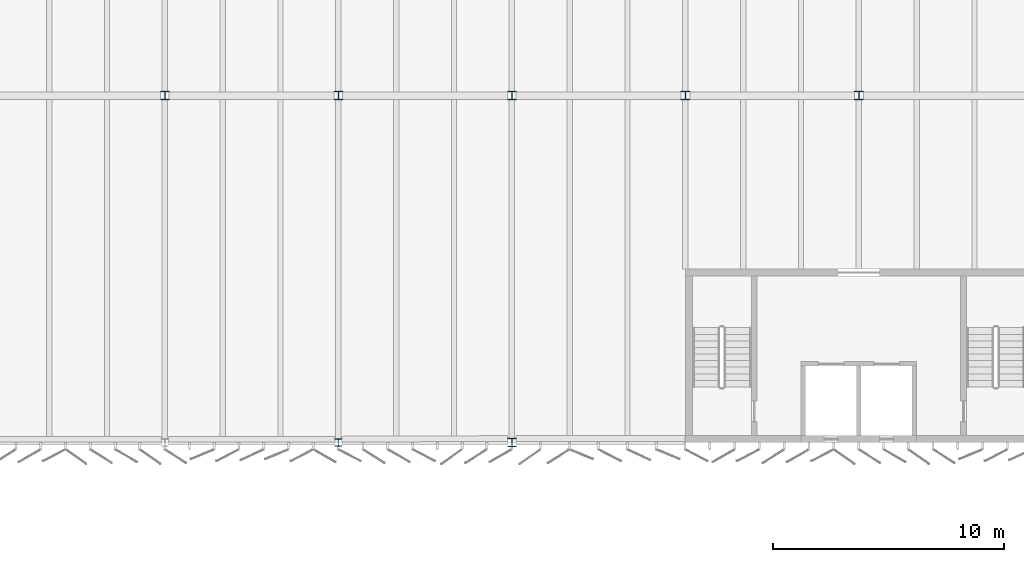
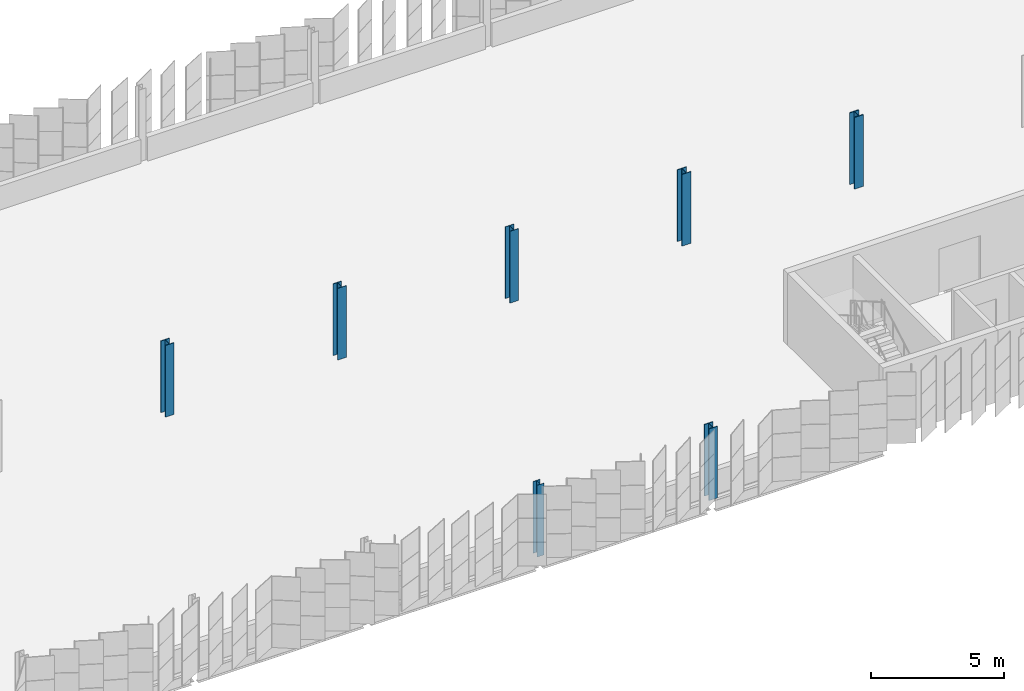
# One storey, part 12 of 199: 7 columns.
"""IFC4 building model written with IfcOpenShell, lengths in metres."""

from ifc_helpers import new_model, si_unit, direction, frame, origin, origin_2d, place, context, subcontext, project, spatial, i_section, extrude, material, material_profile, profile_set, type_object, element, save


model = new_model("IFC4")

# Units and contexts
model_context = context("Model", 3, precision=1e-05, world=origin(), true_north=direction((0.0, 1.0)))
body_context = subcontext(model_context, "Body", "Model", "MODEL_VIEW")
ifc_project = project(units=[si_unit("LENGTHUNIT", "METRE"), si_unit("AREAUNIT", "SQUARE_METRE"), si_unit("VOLUMEUNIT", "CUBIC_METRE"), si_unit("PLANEANGLEUNIT", "RADIAN"), si_unit("MASSUNIT", "GRAM", prefix="KILO")], contexts=[model_context])

# Site, building, storey
site_placement = place(None, origin())
site = spatial("IfcSite", under=ifc_project, at=site_placement, CompositionType="ELEMENT")
building_placement = place(site_placement, origin())
building = spatial("IfcBuilding", under=site, at=building_placement, Name="Parallax Yard Mobility Hub", CompositionType="ELEMENT")
storey_placement = place(building_placement, frame((0.0, 0.0, 9.89990234375)))
storey = spatial("IfcBuildingStorey", under=building, at=storey_placement, Name="L03", CompositionType="ELEMENT", Elevation=9.89990234375)

# Columns
ifc_material = material(Name="Steel ASTM A992", Category="steel")
ifc_material_profile_1 = material_profile(ifc_material, i_section(OverallWidth=0.304931640625, OverallDepth=0.306884765625, WebThickness=0.010009765625, FlangeThickness=0.015380859375, FilletRadius=0.01513671875, at=origin_2d()), Name="W310x97")
ifc_profile_set_1 = profile_set([ifc_material_profile_1], Name="Steel ASTM A992")
column_type_1 = type_object("IfcColumnType", Name="W310x97 column", PredefinedType="COLUMN", material=ifc_profile_set_1)
column_1_placement = place(storey_placement, frame((112.5, 112.5, 0.0), z_axis=(0.0, 0.0, 1.0), x_axis=(1.0, 0.0, 0.0)))
element("IfcColumn", 1, at=column_1_placement, inside=storey, type_object=column_type_1, Name="Column C1 level L03 at R/16 of ramped parking decks", PredefinedType="COLUMN", context=body_context, shape_type="SweptSolid", body=[
    extrude(i_section(OverallWidth=0.304931640625, OverallDepth=0.306884765625, WebThickness=0.010009765625, FlangeThickness=0.015380859375, FilletRadius=0.01513671875, at=origin_2d()), origin(), (0.0, 0.0, 1.0), 3.300048828125),
])
ifc_material_profile_2 = material_profile(ifc_material, i_section(OverallWidth=0.373046875, OverallDepth=0.367919921875, WebThickness=0.014892578125, FlangeThickness=0.02392578125, FilletRadius=0.01513671875, at=origin_2d()), Name="W360x179")
ifc_profile_set_2 = profile_set([ifc_material_profile_2], Name="Steel ASTM A992")
column_type_2 = type_object("IfcColumnType", Name="W360x179 column", PredefinedType="COLUMN", material=ifc_profile_set_2)
for number, where, z_axis, x_axis, name in (
    (2, (105.0, 127.5, 0.0), (0.0, 0.0, 1.0), (1.0, 0.0, 0.0), "Column C7 level L03 at T/15 of ramped parking decks"),
    (3, (112.5, 127.5, 0.0), (0.0, 0.0, 1.0), (1.0, 0.0, 0.0), "Column C7 level L03 at T/16 of ramped parking decks"),
    (4, (120.0, 112.5, 0.0), (0.0, 0.0, 1.0), (1.0, 0.0, 0.0), "Column C7 level L03 at R/17 of ramped parking decks"),
    (5, (120.0, 127.5, 0.0), (0.0, 0.0, 1.0), (1.0, 0.0, 0.0), "Column C7 level L03 at T/17 of ramped parking decks"),
):
    element("IfcColumn", number, at=place(storey_placement, frame(where, z_axis=z_axis, x_axis=x_axis)), inside=storey, type_object=column_type_2, Name=name, PredefinedType="COLUMN", context=body_context, shape_type="SweptSolid", body=[
        extrude(i_section(OverallWidth=0.373046875, OverallDepth=0.367919921875, WebThickness=0.014892578125, FlangeThickness=0.02392578125, FilletRadius=0.01513671875, at=origin_2d()), origin(), (0.0, 0.0, 1.0), 3.300048828125),
    ])
ifc_material_profile_3 = material_profile(ifc_material, i_section(OverallWidth=0.39404296875, OverallDepth=0.3759765625, WebThickness=0.017333984375, FlangeThickness=0.027587890625, FilletRadius=0.01513671875, at=origin_2d()), Name="W360x216")
ifc_profile_set_3 = profile_set([ifc_material_profile_3], Name="Steel ASTM A992")
column_type_3 = type_object("IfcColumnType", Name="W360x216 column", PredefinedType="COLUMN", material=ifc_profile_set_3)
column_2_placement = place(storey_placement, frame((127.5, 127.5, 0.0), z_axis=(0.0, 0.0, 1.0), x_axis=(1.0, 0.0, 0.0)))
element("IfcColumn", 6, at=column_2_placement, inside=storey, type_object=column_type_3, Name="Column C9 level L03 at T/18 of ramped parking decks", PredefinedType="COLUMN", context=body_context, shape_type="SweptSolid", body=[
    extrude(i_section(OverallWidth=0.39404296875, OverallDepth=0.3759765625, WebThickness=0.017333984375, FlangeThickness=0.027587890625, FilletRadius=0.01513671875, at=origin_2d()), origin(), (0.0, 0.0, 1.0), 3.300048828125),
])
ifc_material_profile_4 = material_profile(ifc_material, i_section(OverallWidth=0.39599609375, OverallDepth=0.381103515625, WebThickness=0.018798828125, FlangeThickness=0.0302734375, FilletRadius=0.015380859375, at=origin_2d()), Name="W360x237")
ifc_profile_set_4 = profile_set([ifc_material_profile_4], Name="Steel ASTM A992")
column_type_4 = type_object("IfcColumnType", Name="W360x237 column", PredefinedType="COLUMN", material=ifc_profile_set_4)
column_3_placement = place(storey_placement, frame((135.0, 127.5, 0.0), z_axis=(0.0, 0.0, 1.0), x_axis=(1.0, 0.0, 0.0)))
element("IfcColumn", 7, at=column_3_placement, inside=storey, type_object=column_type_4, Name="Column C10 level L03 at T/19 of ramped parking decks", PredefinedType="COLUMN", context=body_context, shape_type="SweptSolid", body=[
    extrude(i_section(OverallWidth=0.39599609375, OverallDepth=0.381103515625, WebThickness=0.018798828125, FlangeThickness=0.0302734375, FilletRadius=0.015380859375, at=origin_2d()), origin(), (0.0, 0.0, 1.0), 3.300048828125),
])

save(model, "model.ifc")
